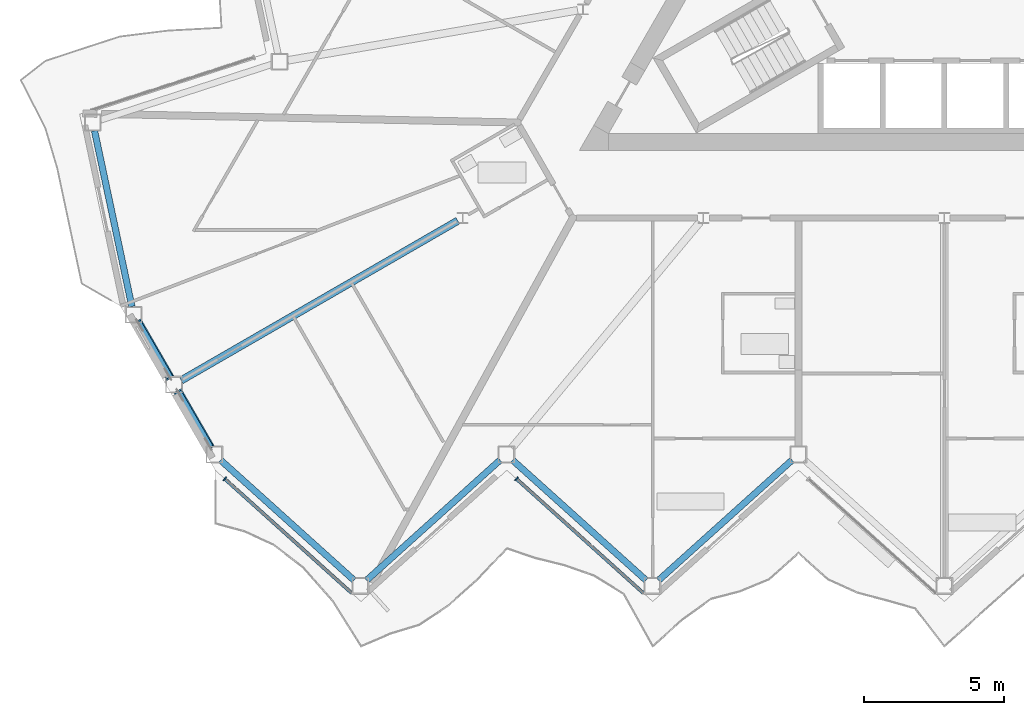
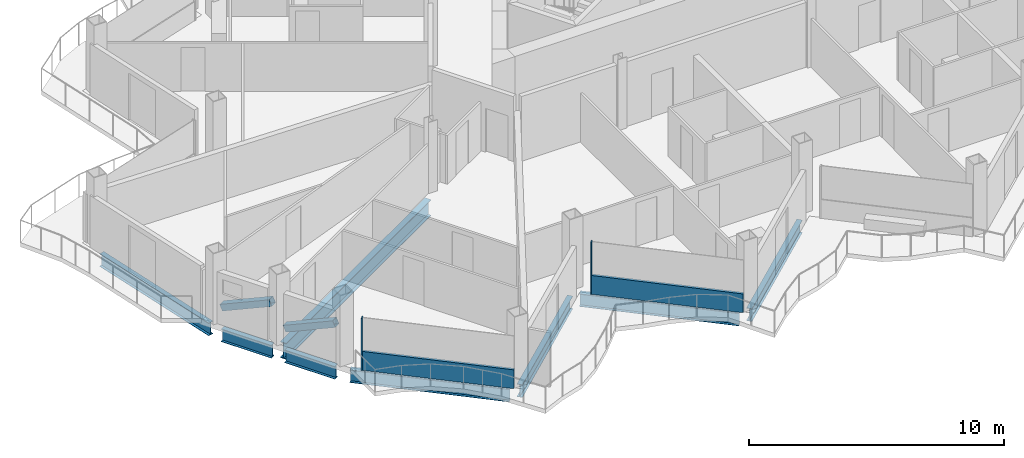
# One storey, part 4 of 27: 8 beams, 6 members, 2 elements without a shape of their own.
"""IFC4 building model written with IfcOpenShell, lengths in metres."""

from ifc_helpers import new_model, si_unit, direction, frame, origin, origin_2d, place, context, subcontext, project, spatial, rectangle, hollow_rectangle, i_section, extrude, material, layer, layer_set, material_profile, profile_set, type_object, element, aggregate, save


model = new_model("IFC4")

# Units and contexts
model_context = context("Model", 3, precision=1e-05, world=origin(), true_north=direction((0.0, 1.0)))
body_context = subcontext(model_context, "Body", "Model", "MODEL_VIEW")
ifc_project = project(units=[si_unit("LENGTHUNIT", "METRE"), si_unit("AREAUNIT", "SQUARE_METRE"), si_unit("VOLUMEUNIT", "CUBIC_METRE"), si_unit("PLANEANGLEUNIT", "RADIAN"), si_unit("MASSUNIT", "GRAM", prefix="KILO")], contexts=[model_context])

# Site, building, storey
site_placement = place(None, origin())
site = spatial("IfcSite", under=ifc_project, at=site_placement, CompositionType="ELEMENT")
building_placement = place(site_placement, origin())
building = spatial("IfcBuilding", under=site, at=building_placement, Name="Cormorant Prow Tower", CompositionType="ELEMENT")
storey_placement = place(building_placement, frame((0.0, 0.0, 318.800048828125)))
storey = spatial("IfcBuildingStorey", under=building, at=storey_placement, Name="L70", CompositionType="ELEMENT", Elevation=318.800048828125)

# Members
ifc_material_1 = material(Name="Structural steel ASTM A500 Gr C", Category="steel")
ifc_material_profile_1 = material_profile(ifc_material_1, hollow_rectangle(XDim=0.3046875, YDim=0.3046875, WallThickness=0.01171875, at=origin_2d()), Name="HSS12x12x1/2")
ifc_profile_set_1 = profile_set([ifc_material_profile_1], Name="Structural steel ASTM A500 Gr C")
member_type_1 = type_object("IfcMemberType", Name="Chamfer brace HSS12x12x1/2", PredefinedType="BRACE", material=ifc_profile_set_1)
for number, where, z_axis, x_axis, name in (
    (1, (-28.711669921875, -13.621826171875, 0.740966796875), (0.456247183882, -0.790292391402, 0.408994429415), (0.866038851724, 0.499976706761, 0.0), "Chamfer brace BR3 at WSW00 L70"),
    (2, (-27.27490234375, -16.110595703125, 0.740966796875), (0.456247183882, -0.790292391402, 0.408994429415), (0.866038851724, 0.499976706761, 0.0), "Chamfer brace BR3 at WSW01 L70"),
):
    element("IfcMember", number, at=place(storey_placement, frame(where, z_axis=z_axis, x_axis=x_axis)), inside=storey, type_object=member_type_1, Name=name, PredefinedType="BRACE", context=body_context, shape_type="SweptSolid", body=[
        extrude(hollow_rectangle(XDim=0.3046875, YDim=0.3046875, WallThickness=0.01171875, at=origin_2d()), origin(), (0.0, 0.0, 1.0), 2.459228515625),
    ])

# Beam
ifc_material_2 = material(Name="Structural steel ASTM A992 Gr 50", Category="steel")
ifc_material_profile_2 = material_profile(ifc_material_2, i_section(OverallWidth=0.267822265625, OverallDepth=0.77001953125, WebThickness=0.015625, FlangeThickness=0.025390625, at=origin_2d()), Name="W30x132")
ifc_profile_set_2 = profile_set([ifc_material_profile_2], Name="Structural steel ASTM A992 Gr 50")
beam_type_1 = type_object("IfcBeamType", Name="Radial floor beam W30x132", PredefinedType="BEAM", material=ifc_profile_set_2)
beam_1_placement = place(storey_placement, frame((-17.328125, -10.00439453125, -0.68505859375), z_axis=(-0.866024637028, -0.500001328059, 0.0), x_axis=(0.500001328059, -0.866024637028, 0.0)))
element("IfcBeam", 3, at=beam_1_placement, inside=storey, type_object=beam_type_1, Name="Radial floor beam FB3 5 L70", PredefinedType="BEAM", context=body_context, shape_type="SweptSolid", body=[
    extrude(i_section(OverallWidth=0.267822265625, OverallDepth=0.77001953125, WebThickness=0.015625, FlangeThickness=0.025390625, at=origin_2d()), origin(), (0.0, 0.0, 1.0), 11.3671875),
])

# Curtain wall, member
ifc_material_3 = material(Name="Aluminium 6063-T6", Category="aluminium")
ifc_layer = layer(ifc_material_3, 0.159912109375)
ifc_layer_set = layer_set([ifc_layer], Name="Aluminium 6063-T6")
curtain_wall_type = type_object("IfcCurtainWallType", Name="Residential unitised curtain wall 160", PredefinedType="NOTDEFINED", material=ifc_layer_set)
curtain_wall_1_placement = place(storey_placement, origin())
curtain_wall_1 = element("IfcCurtainWall", 4, at=curtain_wall_1_placement, inside=storey, type_object=curtain_wall_type, Name="Residential curtain wall S00", PredefinedType="NOTDEFINED")
ifc_material_4 = material(Name="Aluminium 6063-T6", Category="aluminium")
ifc_material_profile_3 = material_profile(ifc_material_4, rectangle(XDim=0.159912109375, YDim=0.050048828125, at=origin_2d()), Name="Residential mullion 50x160")
ifc_profile_set_3 = profile_set([ifc_material_profile_3], Name="Aluminium 6063-T6")
member_type_2 = type_object("IfcMemberType", Name="Residential mullion 50x160", PredefinedType="MULLION", material=ifc_profile_set_3)
member_1_placement = place(storey_placement, frame((-25.623046875, -19.193603515625, 0.0), z_axis=(0.0, 0.0, 1.0), x_axis=(0.669130619757, 0.743144813413, 0.0)))
member_1 = element("IfcMember", 5, at=member_1_placement, type_object=member_type_2, Name="Residential mullion S00", PredefinedType="MULLION", context=body_context, shape_type="SweptSolid", body=[
    extrude(rectangle(XDim=0.159912109375, YDim=0.050048828125, at=origin_2d()), origin(), (0.0, 0.0, 1.0), 2.48779296875),
])

curtain_wall_2_placement = place(storey_placement, origin())
curtain_wall_2 = element("IfcCurtainWall", 6, at=curtain_wall_2_placement, inside=storey, type_object=curtain_wall_type, Name="Residential curtain wall S02", PredefinedType="NOTDEFINED")
member_2_placement = place(storey_placement, frame((-15.2373046875, -19.193603515625, 0.0), z_axis=(0.0, 0.0, 1.0), x_axis=(0.669130619757, 0.743144813413, 0.0)))
member_2 = element("IfcMember", 7, at=member_2_placement, type_object=member_type_2, Name="Residential mullion S02", PredefinedType="MULLION", context=body_context, shape_type="SweptSolid", body=[
    extrude(rectangle(XDim=0.159912109375, YDim=0.050048828125, at=origin_2d()), origin(), (0.0, 0.0, 1.0), 2.48779296875),
])

# Member
ifc_material_5 = material(Name="Terracotta", Category="masonry")
ifc_material_profile_4 = material_profile(ifc_material_5, rectangle(XDim=0.1201171875, YDim=0.89990234375, at=origin_2d()), Name="Residential terracotta spandrel rail 120x900")
ifc_profile_set_4 = profile_set([ifc_material_profile_4], Name="Terracotta")
member_type_3 = type_object("IfcMemberType", Name="Residential terracotta spandrel rail 120x900", PredefinedType="USERDEFINED", material=ifc_profile_set_4)
member_3_placement = place(storey_placement, frame((-25.6044921875, -19.21044921875, 0.449951171875), z_axis=(0.743162128872, -0.669111388492, 0.0), x_axis=(0.669111388492, 0.743162128872, 0.0)))
member_3 = element("IfcMember", 8, at=member_3_placement, type_object=member_type_3, Name="Residential spandrel rail S00", ObjectType="TRANSOM", PredefinedType="USERDEFINED", context=body_context, shape_type="SweptSolid", body=[
    extrude(rectangle(XDim=0.1201171875, YDim=0.89990234375, at=origin_2d()), origin(), (0.0, 0.0, 1.0), 6.069580078125),
])

aggregate(curtain_wall_1, [member_1, member_3])

member_4_placement = place(storey_placement, frame((-15.21875, -19.21044921875, 0.449951171875), z_axis=(0.743144119775, -0.66913139012, 0.0), x_axis=(0.66913139012, 0.743144119775, 0.0)))
member_4 = element("IfcMember", 9, at=member_4_placement, type_object=member_type_3, Name="Residential spandrel rail S02", ObjectType="TRANSOM", PredefinedType="USERDEFINED", context=body_context, shape_type="SweptSolid", body=[
    extrude(rectangle(XDim=0.1201171875, YDim=0.89990234375, at=origin_2d()), origin(), (0.0, 0.0, 1.0), 6.069580078125),
])

aggregate(curtain_wall_2, [member_2, member_4])

# Beams
ifc_material_6 = material(Name="Structural steel ASTM A992 Gr 50", Category="steel")
ifc_material_profile_5 = material_profile(ifc_material_6, i_section(OverallWidth=0.22900390625, OverallDepth=0.612060546875, WebThickness=0.011962890625, FlangeThickness=0.01953125, at=origin_2d()), Name="W24x84")
ifc_profile_set_5 = profile_set([ifc_material_profile_5], Name="Structural steel ASTM A992 Gr 50")
beam_type_2 = type_object("IfcBeamType", Name="Spandrel beam W24x84", PredefinedType="SPANDREL", material=ifc_profile_set_5)
beam_2_placement = place(storey_placement, frame((-25.7724609375, -18.527587890625, -0.606201171875), z_axis=(0.743144186555, -0.669131315954, 0.0), x_axis=(0.669131315954, 0.743144186555, 0.0)))
element("IfcBeam", 10, at=beam_2_placement, inside=storey, type_object=beam_type_2, Name="Spandrel beam SB3 S00-S01 L70", PredefinedType="SPANDREL", context=body_context, shape_type="SweptSolid", body=[
    extrude(i_section(OverallWidth=0.22900390625, OverallDepth=0.612060546875, WebThickness=0.011962890625, FlangeThickness=0.01953125, at=origin_2d()), origin(), (0.0, 0.0, 1.0), 6.39599609375),
])
beam_3_placement = place(storey_placement, frame((-20.573486328125, -22.807373046875, -0.606201171875), z_axis=(0.743161276225, 0.669112335502, 0.0), x_axis=(-0.669112335502, 0.743161276225, 0.0)))
element("IfcBeam", 11, at=beam_3_placement, inside=storey, type_object=beam_type_2, Name="Spandrel beam SB3 S01-S02 L70", PredefinedType="SPANDREL", context=body_context, shape_type="SweptSolid", body=[
    extrude(i_section(OverallWidth=0.22900390625, OverallDepth=0.612060546875, WebThickness=0.011962890625, FlangeThickness=0.01953125, at=origin_2d()), origin(), (0.0, 0.0, 1.0), 6.396240234375),
])
for number, where, z_axis, x_axis, name in (
    (12, (-15.374267578125, -18.527587890625, -0.606201171875), (0.743144186555, -0.669131315954, 0.0), (0.669131315954, 0.743144186555, 0.0), "Spandrel beam SB3 S02-S03 L70"),
    (13, (-10.17529296875, -22.807373046875, -0.606201171875), (0.743144186555, 0.669131315954, 0.0), (-0.669131315954, 0.743144186555, 0.0), "Spandrel beam SB3 S03-S04 L70"),
):
    element("IfcBeam", number, at=place(storey_placement, frame(where, z_axis=z_axis, x_axis=x_axis)), inside=storey, type_object=beam_type_2, Name=name, PredefinedType="SPANDREL", context=body_context, shape_type="SweptSolid", body=[
        extrude(i_section(OverallWidth=0.22900390625, OverallDepth=0.612060546875, WebThickness=0.011962890625, FlangeThickness=0.01953125, at=origin_2d()), origin(), (0.0, 0.0, 1.0), 6.39599609375),
    ])
beam_4_placement = place(storey_placement, frame((-30.261474609375, -6.799560546875, -0.606201171875), z_axis=(0.20791262393, -0.978147402394, 0.0), x_axis=(0.978147402394, 0.20791262393, 0.0)))
element("IfcBeam", 14, at=beam_4_placement, inside=storey, type_object=beam_type_2, Name="Spandrel beam SB3 WNW09-WSW00 L70", PredefinedType="SPANDREL", context=body_context, shape_type="SweptSolid", body=[
    extrude(i_section(OverallWidth=0.22900390625, OverallDepth=0.612060546875, WebThickness=0.011962890625, FlangeThickness=0.01953125, at=origin_2d()), origin(), (0.0, 0.0, 1.0), 6.396240234375),
])
beam_5_placement = place(storey_placement, frame((-28.71923828125, -13.609130859375, -0.606201171875), z_axis=(0.500053962254, -0.865994246421, 0.0), x_axis=(0.865994246421, 0.500053962254, 0.0)))
element("IfcBeam", 15, at=beam_5_placement, inside=storey, type_object=beam_type_2, Name="Spandrel beam SB3 WSW00-WSW01 L70", PredefinedType="SPANDREL", context=body_context, shape_type="SweptSolid", body=[
    extrude(i_section(OverallWidth=0.22900390625, OverallDepth=0.612060546875, WebThickness=0.011962890625, FlangeThickness=0.01953125, at=origin_2d()), origin(), (0.0, 0.0, 1.0), 2.273681640625),
])
beam_6_placement = place(storey_placement, frame((-27.2822265625, -16.097900390625, -0.606201171875), z_axis=(0.49997342893, -0.866040744055, 0.0), x_axis=(0.866040744055, 0.49997342893, 0.0)))
element("IfcBeam", 16, at=beam_6_placement, inside=storey, type_object=beam_type_2, Name="Spandrel beam SB3 WSW01-S00 L70", PredefinedType="SPANDREL", context=body_context, shape_type="SweptSolid", body=[
    extrude(i_section(OverallWidth=0.22900390625, OverallDepth=0.612060546875, WebThickness=0.011962890625, FlangeThickness=0.01953125, at=origin_2d()), origin(), (0.0, 0.0, 1.0), 2.2734375),
])

save(model, "model.ifc")
